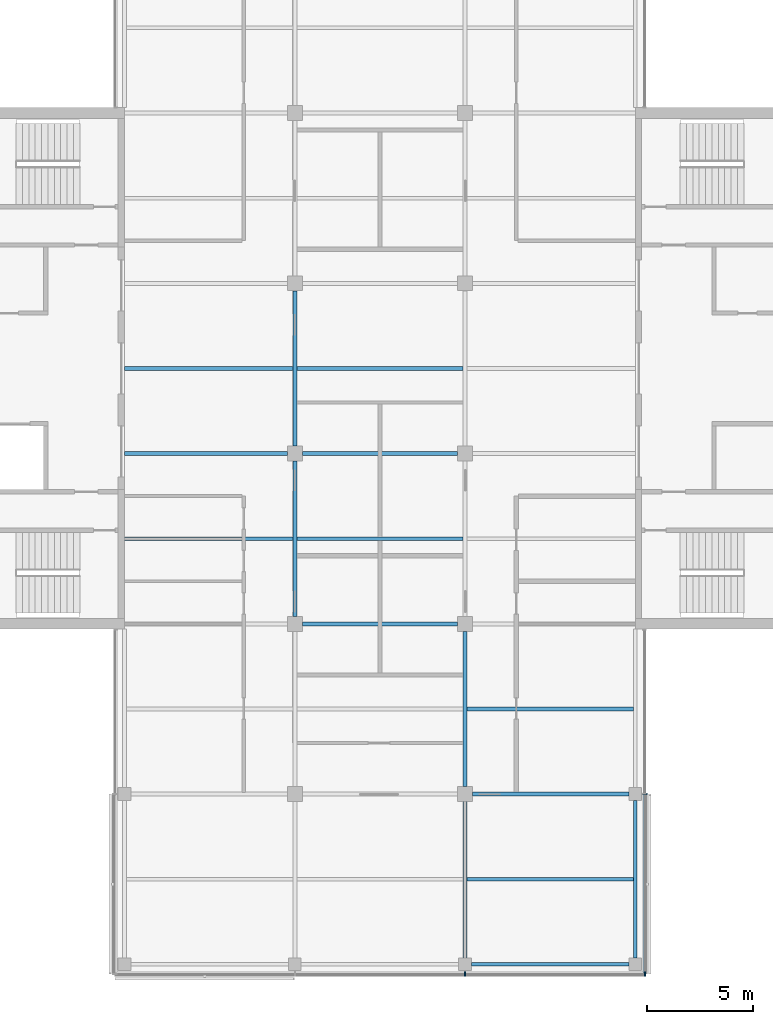
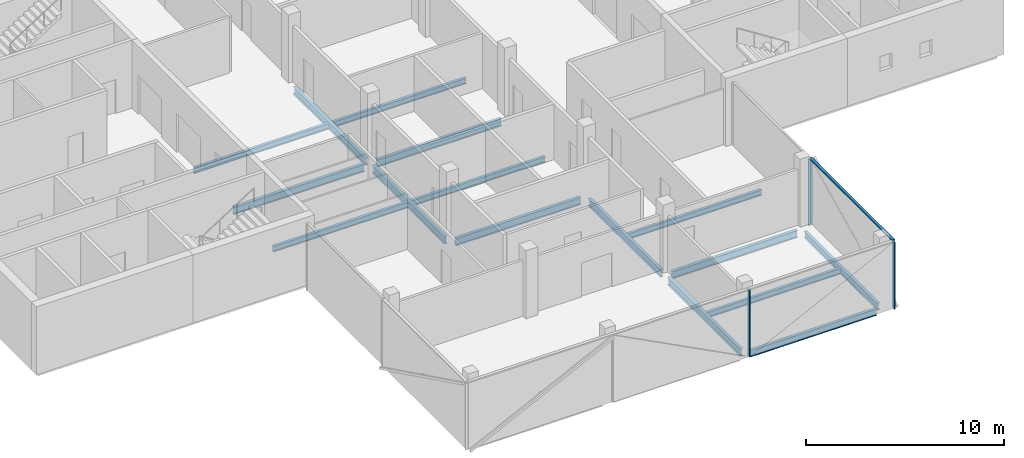
# One storey, part 3 of 16: 16 beams, 4 members, 2 elements without a shape of their own.
"""IFC4 building model written with IfcOpenShell, lengths in metres."""

from ifc_helpers import new_model, si_unit, direction, frame, origin, origin_2d, place, context, subcontext, project, spatial, rectangle, i_section, extrude, material, material_profile, profile_set, type_object, element, aggregate, save


model = new_model("IFC4")

# Units and contexts
model_context = context("Model", 3, precision=1e-05, world=origin(), true_north=direction((0.0, 1.0)))
body_context = subcontext(model_context, "Body", "Model", "MODEL_VIEW")
ifc_project = project(units=[si_unit("LENGTHUNIT", "METRE"), si_unit("AREAUNIT", "SQUARE_METRE"), si_unit("VOLUMEUNIT", "CUBIC_METRE"), si_unit("PLANEANGLEUNIT", "RADIAN"), si_unit("MASSUNIT", "GRAM", prefix="KILO")], contexts=[model_context])

# Site, building, storey
site_placement = place(None, origin())
site = spatial("IfcSite", under=ifc_project, at=site_placement, CompositionType="ELEMENT")
building_placement = place(site_placement, origin())
building = spatial("IfcBuilding", under=site, at=building_placement, Name="Crosswind Convention Tower", CompositionType="ELEMENT")
storey_placement = place(building_placement, frame((0.0, 0.0, 282.89990234375)))
storey = spatial("IfcBuildingStorey", under=building, at=storey_placement, Name="L61", CompositionType="ELEMENT", Elevation=282.89990234375)

# Beams
ifc_material_1 = material(Name="Steel S355", Category="steel")
ifc_material_profile_1 = material_profile(ifc_material_1, i_section(OverallWidth=0.177734375, OverallDepth=0.406494140625, WebThickness=0.0078125, FlangeThickness=0.0126953125, FilletRadius=0.01025390625, at=origin_2d()), Name="UB 406x178x60")
ifc_profile_set_1 = profile_set([ifc_material_profile_1], Name="Steel S355")
beam_type_1 = type_object("IfcBeamType", Name="Edge beam UB 406x178x60", PredefinedType="SPANDREL", material=ifc_profile_set_1)
for number, where, z_axis, x_axis, name in (
    (1, (129.300048828125, 72.0, -0.503173828125), (1.0, 0.0, 0.0), (0.0, 1.0, 0.0), "B15 L61 edge beam 9"),
    (2, (137.0, 72.300048828125, -0.503173828125), (0.0, 1.0, 0.0), (-1.0, 0.0, 0.0), "B15 L61 edge beam 11"),
):
    element("IfcBeam", number, at=place(storey_placement, frame(where, z_axis=z_axis, x_axis=x_axis)), inside=storey, type_object=beam_type_1, Name=name, PredefinedType="SPANDREL", context=body_context, shape_type="SweptSolid", body=[
        extrude(i_section(OverallWidth=0.177734375, OverallDepth=0.406494140625, WebThickness=0.0078125, FlangeThickness=0.0126953125, FilletRadius=0.01025390625, at=origin_2d()), origin(), (0.0, 0.0, 1.0), 7.39990234375),
    ])
ifc_material_profile_2 = material_profile(ifc_material_1, i_section(OverallWidth=0.18994140625, OverallDepth=0.45361328125, WebThickness=0.008544921875, FlangeThickness=0.0126953125, FilletRadius=0.01025390625, at=origin_2d()), Name="UB 457x191x67")
ifc_profile_set_2 = profile_set([ifc_material_profile_2], Name="Steel S355")
beam_type_2 = type_object("IfcBeamType", Name="Girder UB 457x191x67", PredefinedType="BEAM", material=ifc_profile_set_2)
for number, where, z_axis, x_axis, name in (
    (3, (121.0, 88.35009765625, -0.526611328125), (0.0, 1.0, 0.0), (-1.0, 0.0, 0.0), "B1 L61 girder 5"),
    (4, (121.0, 96.35009765625, -0.526611328125), (0.0, 1.0, 0.0), (-1.0, 0.0, 0.0), "B1 L61 girder 6"),
    (5, (121.35009765625, 88.0, -0.526611328125), (1.0, 0.0, 0.0), (0.0, 1.0, 0.0), "B1 L61 girder 11"),
    (6, (121.35009765625, 96.0, -0.526611328125), (1.0, 0.0, 0.0), (0.0, 1.0, 0.0), "B1 L61 girder 12"),
):
    element("IfcBeam", number, at=place(storey_placement, frame(where, z_axis=z_axis, x_axis=x_axis)), inside=storey, type_object=beam_type_2, Name=name, PredefinedType="BEAM", context=body_context, shape_type="SweptSolid", body=[
        extrude(i_section(OverallWidth=0.18994140625, OverallDepth=0.45361328125, WebThickness=0.008544921875, FlangeThickness=0.0126953125, FilletRadius=0.01025390625, at=origin_2d()), origin(), (0.0, 0.0, 1.0), 7.2998046875),
    ])
beam_1_placement = place(storey_placement, frame((129.0, 72.300048828125, -0.526611328125), z_axis=(0.0, 1.0, 0.0), x_axis=(-1.0, 0.0, 0.0)))
element("IfcBeam", 7, at=beam_1_placement, inside=storey, type_object=beam_type_2, Name="B1 L61 girder 16", PredefinedType="BEAM", context=body_context, shape_type="SweptSolid", body=[
    extrude(i_section(OverallWidth=0.18994140625, OverallDepth=0.45361328125, WebThickness=0.008544921875, FlangeThickness=0.0126953125, FilletRadius=0.01025390625, at=origin_2d()), origin(), (0.0, 0.0, 1.0), 7.349853515625),
])
beam_2_placement = place(storey_placement, frame((129.0, 80.35009765625, -0.526611328125), z_axis=(0.0, 1.0, 0.0), x_axis=(-1.0, 0.0, 0.0)))
element("IfcBeam", 8, at=beam_2_placement, inside=storey, type_object=beam_type_2, Name="B1 L61 girder 17", PredefinedType="BEAM", context=body_context, shape_type="SweptSolid", body=[
    extrude(i_section(OverallWidth=0.18994140625, OverallDepth=0.45361328125, WebThickness=0.008544921875, FlangeThickness=0.0126953125, FilletRadius=0.01025390625, at=origin_2d()), origin(), (0.0, 0.0, 1.0), 7.2998046875),
])
beam_3_placement = place(storey_placement, frame((129.35009765625, 80.0, -0.526611328125), z_axis=(1.0, 0.0, 0.0), x_axis=(0.0, 1.0, 0.0)))
element("IfcBeam", 9, at=beam_3_placement, inside=storey, type_object=beam_type_2, Name="B1 L61 girder 23", PredefinedType="BEAM", context=body_context, shape_type="SweptSolid", body=[
    extrude(i_section(OverallWidth=0.18994140625, OverallDepth=0.45361328125, WebThickness=0.008544921875, FlangeThickness=0.0126953125, FilletRadius=0.01025390625, at=origin_2d()), origin(), (0.0, 0.0, 1.0), 7.349853515625),
])
ifc_material_profile_3 = material_profile(ifc_material_1, i_section(OverallWidth=0.1904296875, OverallDepth=0.457275390625, WebThickness=0.009033203125, FlangeThickness=0.014404296875, FilletRadius=0.01025390625, at=origin_2d()), Name="UB 457x191x75")
ifc_profile_set_3 = profile_set([ifc_material_profile_3], Name="Steel S355")
beam_type_3 = type_object("IfcBeamType", Name="Girder at core wall UB 457x191x75", PredefinedType="BEAM", material=ifc_profile_set_3)
beam_4_placement = place(storey_placement, frame((113.0, 96.0, -0.528564453125), z_axis=(1.0, 0.0, 0.0), x_axis=(0.0, 1.0, 0.0)))
element("IfcBeam", 10, at=beam_4_placement, inside=storey, type_object=beam_type_3, Name="B22 L61 girder at core wall 2", PredefinedType="BEAM", context=body_context, shape_type="SweptSolid", body=[
    extrude(i_section(OverallWidth=0.1904296875, OverallDepth=0.457275390625, WebThickness=0.009033203125, FlangeThickness=0.014404296875, FilletRadius=0.01025390625, at=origin_2d()), origin(), (0.0, 0.0, 1.0), 7.64990234375),
])

# Curtain wall, members
ifc_material_2 = material(Name="Aluminium unitised curtain wall", Category="aluminium")
curtain_wall_type = type_object("IfcCurtainWallType", Name="OFFICE UNITISED WALL 220", PredefinedType="USERDEFINED", material=ifc_material_2)
curtain_wall_1_placement = place(storey_placement, origin())
curtain_wall_1 = element("IfcCurtainWall", 11, at=curtain_wall_1_placement, inside=storey, type_object=curtain_wall_type, Name="CW3 L61 S-TIP 1", ObjectType="UNITISED", PredefinedType="USERDEFINED")
ifc_material_3 = material(Name="Aluminium mullion", Category="aluminium")
ifc_material_profile_4 = material_profile(ifc_material_3, rectangle(XDim=0.219970703125, YDim=0.070068359375, at=origin_2d()), Name="AL 220X70")
ifc_profile_set_4 = profile_set([ifc_material_profile_4], Name="Aluminium mullion")
member_type_1 = type_object("IfcMemberType", Name="MULLION 70X220", PredefinedType="MULLION", material=ifc_profile_set_4)
member_1_placement = place(storey_placement, frame((129.0, 71.5400390625, -0.2998046875), z_axis=(0.0, 0.0, 1.0), x_axis=(0.0, -1.0, 0.0)))
member_1 = element("IfcMember", 12, at=member_1_placement, type_object=member_type_1, Name="CW3 mullion 3", PredefinedType="MULLION", context=body_context, shape_type="SweptSolid", body=[
    extrude(rectangle(XDim=0.219970703125, YDim=0.070068359375, at=origin_2d()), origin(), (0.0, 0.0, 1.0), 4.1298828125),
])
member_2_placement = place(storey_placement, frame((137.4599609375, 71.5400390625, -0.2998046875), z_axis=(0.0, 0.0, 1.0), x_axis=(0.0, -1.0, 0.0)))
member_2 = element("IfcMember", 13, at=member_2_placement, type_object=member_type_1, Name="CW3 mullion 4", PredefinedType="MULLION", context=body_context, shape_type="SweptSolid", body=[
    extrude(rectangle(XDim=0.219970703125, YDim=0.070068359375, at=origin_2d()), origin(), (0.0, 0.0, 1.0), 4.1298828125),
])
aggregate(curtain_wall_1, [member_1, member_2])

# Curtain wall, member
curtain_wall_2_placement = place(storey_placement, origin())
curtain_wall_2 = element("IfcCurtainWall", 14, at=curtain_wall_2_placement, inside=storey, type_object=curtain_wall_type, Name="CW3 L61 S-E 1", ObjectType="UNITISED", PredefinedType="USERDEFINED")
member_3_placement = place(storey_placement, frame((137.4599609375, 80.0, -0.2998046875), z_axis=(0.0, 0.0, 1.0), x_axis=(1.0, 0.0, 0.0)))
member_3 = element("IfcMember", 15, at=member_3_placement, type_object=member_type_1, Name="CW3 mullion 2", PredefinedType="MULLION", context=body_context, shape_type="SweptSolid", body=[
    extrude(rectangle(XDim=0.219970703125, YDim=0.070068359375, at=origin_2d()), origin(), (0.0, 0.0, 1.0), 4.1298828125),
])

# Beams
ifc_material_profile_5 = material_profile(ifc_material_1, i_section(OverallWidth=0.17138671875, OverallDepth=0.355712890625, WebThickness=0.00732421875, FlangeThickness=0.011474609375, FilletRadius=0.01025390625, at=origin_2d()), Name="UB 356x171x51")
ifc_profile_set_5 = profile_set([ifc_material_profile_5], Name="Steel S355")
beam_type_4 = type_object("IfcBeamType", Name="Secondary beam UB 356x171x51", PredefinedType="JOIST", material=ifc_profile_set_5)
for number, where, z_axis, x_axis, name in (
    (16, (113.0, 92.0, -0.477783203125), (1.0, 0.0, 0.0), (0.0, 1.0, 0.0), "B8 L61 secondary beam 1"),
    (17, (113.0, 100.0, -0.477783203125), (1.0, 0.0, 0.0), (0.0, 1.0, 0.0), "B8 L61 secondary beam 2"),
):
    element("IfcBeam", number, at=place(storey_placement, frame(where, z_axis=z_axis, x_axis=x_axis)), inside=storey, type_object=beam_type_4, Name=name, PredefinedType="JOIST", context=body_context, shape_type="SweptSolid", body=[
        extrude(i_section(OverallWidth=0.17138671875, OverallDepth=0.355712890625, WebThickness=0.00732421875, FlangeThickness=0.011474609375, FilletRadius=0.01025390625, at=origin_2d()), origin(), (0.0, 0.0, 1.0), 7.905029296875),
    ])
for number, where, z_axis, x_axis, name in (
    (18, (121.094970703125, 92.0, -0.477783203125), (1.0, 0.0, 0.0), (0.0, 1.0, 0.0), "B8 L61 secondary beam 10"),
    (19, (121.094970703125, 100.0, -0.477783203125), (1.0, 0.0, 0.0), (0.0, 1.0, 0.0), "B8 L61 secondary beam 11"),
):
    element("IfcBeam", number, at=place(storey_placement, frame(where, z_axis=z_axis, x_axis=x_axis)), inside=storey, type_object=beam_type_4, Name=name, PredefinedType="JOIST", context=body_context, shape_type="SweptSolid", body=[
        extrude(i_section(OverallWidth=0.17138671875, OverallDepth=0.355712890625, WebThickness=0.00732421875, FlangeThickness=0.011474609375, FilletRadius=0.01025390625, at=origin_2d()), origin(), (0.0, 0.0, 1.0), 7.81005859375),
    ])
for number, where, z_axis, x_axis, name in (
    (20, (129.094970703125, 76.0, -0.477783203125), (1.0, 0.0, 0.0), (0.0, 1.0, 0.0), "B8 L61 secondary beam 15"),
    (21, (129.094970703125, 84.0, -0.477783203125), (1.0, 0.0, 0.0), (0.0, 1.0, 0.0), "B8 L61 secondary beam 16"),
):
    element("IfcBeam", number, at=place(storey_placement, frame(where, z_axis=z_axis, x_axis=x_axis)), inside=storey, type_object=beam_type_4, Name=name, PredefinedType="JOIST", context=body_context, shape_type="SweptSolid", body=[
        extrude(i_section(OverallWidth=0.17138671875, OverallDepth=0.355712890625, WebThickness=0.00732421875, FlangeThickness=0.011474609375, FilletRadius=0.01025390625, at=origin_2d()), origin(), (0.0, 0.0, 1.0), 7.816162109375),
    ])

# Member
ifc_material_4 = material(Name="Aluminium transom", Category="aluminium")
ifc_material_profile_6 = material_profile(ifc_material_4, rectangle(XDim=0.159912109375, YDim=0.070068359375, at=origin_2d()), Name="AL 160X70")
ifc_profile_set_6 = profile_set([ifc_material_profile_6], Name="Aluminium transom")
member_type_2 = type_object("IfcMemberType", Name="TRANSOM 70X160", PredefinedType="USERDEFINED", material=ifc_profile_set_6)
member_4_placement = place(storey_placement, frame((137.4599609375, 71.574951171875, 3.864990234375), z_axis=(0.0, 1.0, 0.0), x_axis=(-1.0, 0.0, 0.0)))
member_4 = element("IfcMember", 22, at=member_4_placement, type_object=member_type_2, Name="CW3 transom", ObjectType="TRANSOM", PredefinedType="USERDEFINED", context=body_context, shape_type="SweptSolid", body=[
    extrude(rectangle(XDim=0.159912109375, YDim=0.070068359375, at=origin_2d()), origin(), (0.0, 0.0, 1.0), 8.39013671875),
])

aggregate(curtain_wall_2, [member_3, member_4])

save(model, "model.ifc")
